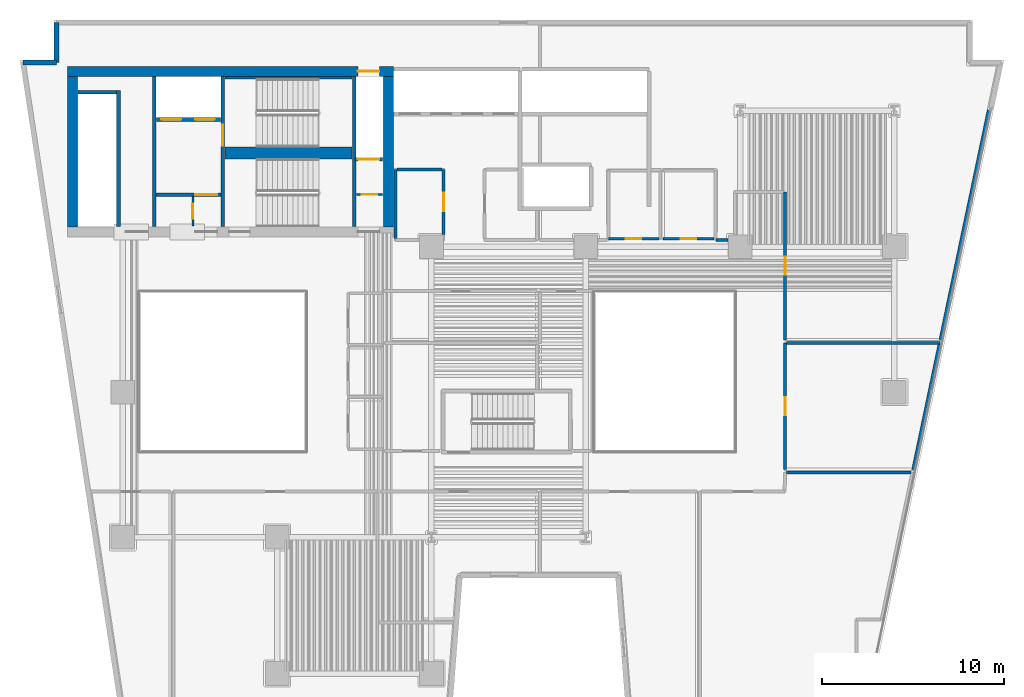
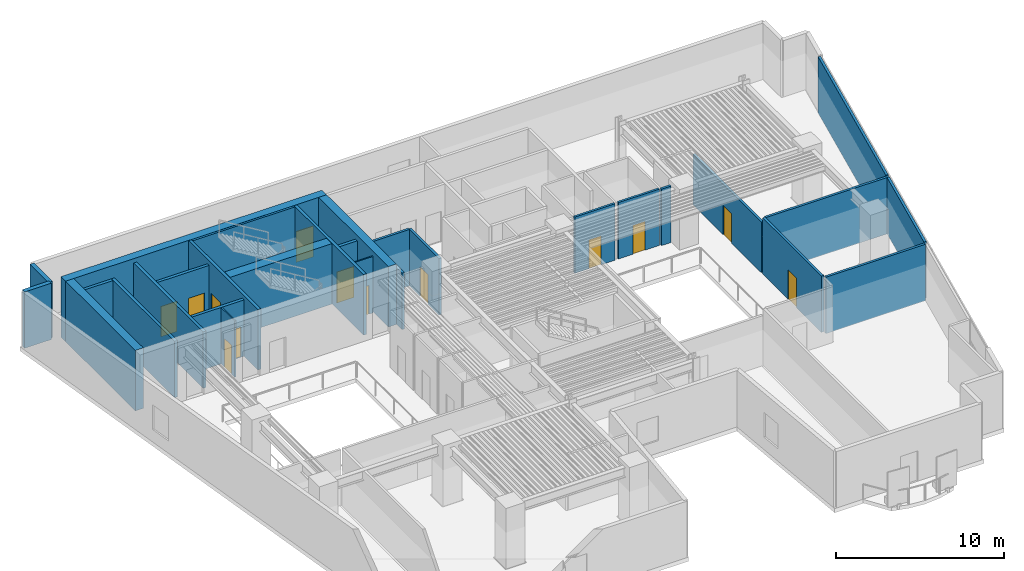
# One storey, part 5 of 12: 29 walls, 13 doors, 13 openings.
"""IFC4 building model written with IfcOpenShell, lengths in metres."""

from ifc_helpers import new_model, si_unit, direction, frame, frame_2d, origin, place, context, subcontext, project, spatial, rectangle, extrude, material, layer, layer_set, type_object, element, fill, save


model = new_model("IFC4")

# Units and contexts
model_context = context("Model", 3, precision=1e-05, world=origin(), true_north=direction((0.0, 1.0)))
body_context = subcontext(model_context, "Body", "Model", "MODEL_VIEW")
ifc_project = project(units=[si_unit("LENGTHUNIT", "METRE"), si_unit("AREAUNIT", "SQUARE_METRE"), si_unit("VOLUMEUNIT", "CUBIC_METRE"), si_unit("PLANEANGLEUNIT", "RADIAN"), si_unit("MASSUNIT", "GRAM", prefix="KILO")], contexts=[model_context])

# Site, building, storey
site_placement = place(None, origin())
site = spatial("IfcSite", under=ifc_project, at=site_placement, CompositionType="ELEMENT")
building_placement = place(site_placement, origin())
building = spatial("IfcBuilding", under=site, at=building_placement, Name="Caeloran Harvest Quay", CompositionType="ELEMENT")
storey_placement = place(building_placement, frame((0.0, 0.0, 57.800048828125)))
storey = spatial("IfcBuildingStorey", under=building, at=storey_placement, Name="L13", CompositionType="ELEMENT", Elevation=57.800048828125)

# Walls
ifc_material_1 = material(Name="Precast concrete C50/60", Category="concrete")
ifc_layer_1 = layer(ifc_material_1, 0.280029296875, Name="Precast concrete C50/60")
ifc_layer_set_1 = layer_set([ifc_layer_1], Name="Precast concrete C50/60")
wall_type_1 = type_object("IfcWallType", Name="ENV-WALL-EW-280", PredefinedType="STANDARD", material=ifc_layer_set_1)
wall_1_placement = place(storey_placement, frame((2.99755859375, 41.159912109375, 0.0), z_axis=(0.0, 0.0, 1.0), x_axis=(1.0, 0.0, 0.0)))
element("IfcWall", 1, at=wall_1_placement, inside=storey, type_object=wall_type_1, Name="L13 Exterior Precast Concrete Facade Wall 4", PredefinedType="STANDARD", context=body_context, shape_type="SweptSolid", body=[
    extrude(rectangle(XDim=1.842529296875, YDim=0.280029296875, at=frame_2d((0.92138671875, 0.0))), origin(), (0.0, 0.0, 1.0), 4.099853515625),
])
wall_2_placement = place(storey_placement, frame((4.840087890625, 41.159912109375, 0.0), z_axis=(0.0, 0.0, 1.0), x_axis=(0.0, 1.0, 0.0)))
element("IfcWall", 2, at=wall_2_placement, inside=storey, type_object=wall_type_1, Name="L13 Exterior Precast Concrete Facade Wall 5", PredefinedType="STANDARD", context=body_context, shape_type="SweptSolid", body=[
    extrude(rectangle(XDim=2.2001953125, YDim=0.280029296875, at=frame_2d((1.10009765625, 0.0))), origin(), (0.0, 0.0, 1.0), 4.099853515625),
])

# Wall, opening, door
ifc_material_2 = material(Name="Fire-Resisting Gypsum Core Riser Partition", Category="gypsum")
ifc_layer_2 = layer(ifc_material_2, 0.10009765625, Name="Fire-Resisting Gypsum Core Riser Partition")
ifc_layer_set_2 = layer_set([ifc_layer_2], Name="Fire-Resisting Gypsum Core Riser Partition")
wall_type_2 = type_object("IfcWallType", Name="INT-WALL-PW-100", PredefinedType="PARTITIONING", material=ifc_layer_set_2)
wall_3_placement = place(storey_placement, frame((12.360107421875, 32.159912109375, 0.0), z_axis=(0.0, 0.0, 1.0), x_axis=(0.0, 1.0, 0.0)))
wall_3 = element("IfcWall", 3, at=wall_3_placement, inside=storey, type_object=wall_type_2, Name="L13 Core Store Partition Wall", PredefinedType="PARTITIONING", context=body_context, shape_type="SweptSolid", body=[
    extrude(rectangle(XDim=1.6201171875, YDim=0.10009765625, at=frame_2d((0.81005859375, 0.0))), origin(), (0.0, 0.0, 1.0), 4.099853515625),
])
opening_1_placement = place(wall_3_placement, frame((0.3798828125, 0.0, 0.0)))
opening_1 = element("IfcOpeningElement", 4, at=opening_1_placement, cuts=wall_3, Name="Opening SV-01", PredefinedType="OPENING", context=body_context, shape_type="SweptSolid", body=[
    extrude(rectangle(XDim=0.85009765625, YDim=2.10009765625, at=frame_2d((0.425048828125, 1.050048828125))), frame((0.0, 0.06005859375, 0.0), z_axis=(0.0, -1.0, 0.0), x_axis=(1.0, 0.0, 0.0)), (0.0, 0.0, 1.0), 0.1201171875),
])
ifc_material_3 = material(Name="Galvanized Painted Steel", Category="steel")
door_type_1 = type_object("IfcDoorType", Name="INTDOOR-SV-01", OperationType="NOTDEFINED", PredefinedType="DOOR", material=ifc_material_3)
door_1_placement = place(opening_1_placement, origin())
door_1 = element("IfcDoor", 5, at=door_1_placement, inside=storey, type_object=door_type_1, Name="L13 Core Service Room Access Door", OperationType="SINGLE_SWING_LEFT", OverallHeight=2.10009765625, OverallWidth=0.85009765625, PredefinedType="DOOR", context=body_context, shape_type="SweptSolid", body=[
    extrude(rectangle(XDim=0.85009765625, YDim=2.10009765625, at=frame_2d((0.425048828125, 1.050048828125))), frame((0.0, 0.02490234375, 0.0), z_axis=(0.0, -1.0, 0.0), x_axis=(1.0, 0.0, 0.0)), (0.0, 0.0, 1.0), 0.050048828125),
])
fill(opening_1, door_1)

wall_4_placement = place(storey_placement, frame((21.3798828125, 33.889892578125, 0.0), z_axis=(0.0, 0.0, 1.0), x_axis=(1.0, 0.0, 0.0)))
wall_4 = element("IfcWall", 6, at=wall_4_placement, inside=storey, type_object=wall_type_2, Name="L13 Cleaner Store Partition Wall", PredefinedType="PARTITIONING", context=body_context, shape_type="SweptSolid", body=[
    extrude(rectangle(XDim=1.420166015625, YDim=0.10009765625, at=frame_2d((0.7099609375, 0.0))), origin(), (0.0, 0.0, 1.0), 4.099853515625),
])
opening_2_placement = place(wall_4_placement, frame((0.280029296875, 0.0, 0.0)))
opening_2 = element("IfcOpeningElement", 7, at=opening_2_placement, cuts=wall_4, Name="Opening SV-01", PredefinedType="OPENING", context=body_context, shape_type="SweptSolid", body=[
    extrude(rectangle(XDim=0.85009765625, YDim=2.10009765625, at=frame_2d((0.425048828125, 1.050048828125))), frame((0.0, 0.06005859375, 0.0), z_axis=(0.0, -1.0, 0.0), x_axis=(1.0, 0.0, 0.0)), (0.0, 0.0, 1.0), 0.1201171875),
])
door_2_placement = place(opening_2_placement, origin())
door_2 = element("IfcDoor", 8, at=door_2_placement, inside=storey, type_object=door_type_1, Name="L13 Cleaner Supply Store Access Door", OperationType="SINGLE_SWING_RIGHT", OverallHeight=2.10009765625, OverallWidth=0.85009765625, PredefinedType="DOOR", context=body_context, shape_type="SweptSolid", body=[
    extrude(rectangle(XDim=0.85009765625, YDim=2.10009765625, at=frame_2d((0.425048828125, 1.050048828125))), frame((0.0, 0.02490234375, 0.0), z_axis=(0.0, -1.0, 0.0), x_axis=(1.0, 0.0, 0.0)), (0.0, 0.0, 1.0), 0.050048828125),
])
fill(opening_2, door_2)

ifc_material_4 = material(Name="Autoclaved Aerated Concrete Blockwork and Plasterboard", Category="masonry")
ifc_layer_3 = layer(ifc_material_4, 0.14990234375, Name="Autoclaved Aerated Concrete Blockwork and Plasterboard")
ifc_layer_set_3 = layer_set([ifc_layer_3], Name="Autoclaved Aerated Concrete Blockwork and Plasterboard")
wall_type_3 = type_object("IfcWallType", Name="INT-WALL-PW-150", PredefinedType="PARTITIONING", material=ifc_layer_set_3)
wall_5_placement = place(storey_placement, frame((38.02001953125, 31.449951171875, 0.0), z_axis=(0.0, 0.0, 1.0), x_axis=(-1.0, 0.0, 0.0)))
wall_5 = element("IfcWall", 9, at=wall_5_placement, inside=storey, type_object=wall_type_3, Name="L13 Core Telemetry West Room Partition Wall", PredefinedType="PARTITIONING", context=body_context, shape_type="SweptSolid", body=[
    extrude(rectangle(XDim=2.77001953125, YDim=0.14990234375, at=frame_2d((1.385009765625, 0.0))), origin(), (0.0, 0.0, 1.0), 4.099853515625),
])
opening_3_placement = place(wall_5_placement, frame((0.9599609375, 0.0, 0.0)))
opening_3 = element("IfcOpeningElement", 10, at=opening_3_placement, cuts=wall_5, Name="Opening SV-01", PredefinedType="OPENING", context=body_context, shape_type="SweptSolid", body=[
    extrude(rectangle(XDim=0.85009765625, YDim=2.10009765625, at=frame_2d((0.425048828125, 1.050048828125))), frame((0.0, 0.0849609375, 0.0), z_axis=(0.0, -1.0, 0.0), x_axis=(1.0, 0.0, 0.0)), (0.0, 0.0, 1.0), 0.169921875),
])
door_3_placement = place(opening_3_placement, origin())
door_3 = element("IfcDoor", 11, at=door_3_placement, inside=storey, type_object=door_type_1, Name="L13 Core Telemetry West Room Access Door", OperationType="SINGLE_SWING_LEFT", OverallHeight=2.10009765625, OverallWidth=0.85009765625, PredefinedType="DOOR", context=body_context, shape_type="SweptSolid", body=[
    extrude(rectangle(XDim=0.85009765625, YDim=2.10009765625, at=frame_2d((0.425048828125, 1.050048828125))), frame((0.0, 0.02490234375, 0.0), z_axis=(0.0, -1.0, 0.0), x_axis=(1.0, 0.0, 0.0)), (0.0, 0.0, 1.0), 0.050048828125),
])
fill(opening_3, door_3)

wall_6_placement = place(storey_placement, frame((41.070068359375, 31.449951171875, 0.0), z_axis=(0.0, 0.0, 1.0), x_axis=(-1.0, 0.0, 0.0)))
wall_6 = element("IfcWall", 12, at=wall_6_placement, inside=storey, type_object=wall_type_3, Name="L13 Core Metering East Room Partition Wall", PredefinedType="PARTITIONING", context=body_context, shape_type="SweptSolid", body=[
    extrude(rectangle(XDim=2.820068359375, YDim=0.14990234375, at=frame_2d((1.41015625, 0.0))), origin(), (0.0, 0.0, 1.0), 4.099853515625),
])
opening_4_placement = place(wall_6_placement, frame((0.985107421875, 0.0, 0.0)))
opening_4 = element("IfcOpeningElement", 13, at=opening_4_placement, cuts=wall_6, Name="Opening SV-01", PredefinedType="OPENING", context=body_context, shape_type="SweptSolid", body=[
    extrude(rectangle(XDim=0.85009765625, YDim=2.10009765625, at=frame_2d((0.425048828125, 1.050048828125))), frame((0.0, 0.0849609375, 0.0), z_axis=(0.0, -1.0, 0.0), x_axis=(1.0, 0.0, 0.0)), (0.0, 0.0, 1.0), 0.169921875),
])
door_4_placement = place(opening_4_placement, origin())
door_4 = element("IfcDoor", 14, at=door_4_placement, inside=storey, type_object=door_type_1, Name="L13 Core Metering East Room Access Door", OperationType="SINGLE_SWING_RIGHT", OverallHeight=2.10009765625, OverallWidth=0.85009765625, PredefinedType="DOOR", context=body_context, shape_type="SweptSolid", body=[
    extrude(rectangle(XDim=0.85009765625, YDim=2.10009765625, at=frame_2d((0.425048828125, 1.050048828125))), frame((0.0, 0.02490234375, 0.0), z_axis=(0.0, -1.0, 0.0), x_axis=(1.0, 0.0, 0.0)), (0.0, 0.0, 1.0), 0.050048828125),
])
fill(opening_4, door_4)

# Wall
ifc_material_5 = material(Name="Autoclaved Aerated Concrete Blockwork", Category="masonry")
ifc_layer_4 = layer(ifc_material_5, 0.1650390625, Name="Autoclaved Aerated Concrete Blockwork")
ifc_layer_set_4 = layer_set([ifc_layer_4], Name="Autoclaved Aerated Concrete Blockwork")
wall_type_4 = type_object("IfcWallType", Name="INT-WALL-PW-165", PredefinedType="PARTITIONING", material=ifc_layer_set_4)
wall_7_placement = place(storey_placement, frame((45.06689453125, 18.570068359375, 0.0), z_axis=(0.0, 0.0, 1.0), x_axis=(1.0, 0.0, 0.0)))
element("IfcWall", 15, at=wall_7_placement, inside=storey, type_object=wall_type_4, Name="Hydroponic Culinary Kitchen Partition Wall", PredefinedType="PARTITIONING", context=body_context, shape_type="SweptSolid", body=[
    extrude(rectangle(XDim=6.8408203125, YDim=0.1650390625, at=frame_2d((3.42041015625, 0.0))), origin(), (0.0, 0.0, 1.0), 4.099853515625),
])

# Wall, opening, door
wall_8_placement = place(storey_placement, frame((44.97998046875, 18.72998046875, 0.0), z_axis=(0.0, 0.0, 1.0), x_axis=(0.0, 1.0, 0.0)))
wall_8 = element("IfcWall", 16, at=wall_8_placement, inside=storey, type_object=wall_type_4, Name="Mycology QA Laboratory Partition Wall", PredefinedType="PARTITIONING", context=body_context, shape_type="SweptSolid", body=[
    extrude(rectangle(XDim=6.989990234375, YDim=0.1650390625, at=frame_2d((3.4951171875, 0.0))), origin(), (0.0, 0.0, 1.0), 4.099853515625),
])
opening_5_placement = place(wall_8_placement, frame((2.9951171875, 0.0, 0.0)))
opening_5 = element("IfcOpeningElement", 17, at=opening_5_placement, cuts=wall_8, Name="Opening ID-01", PredefinedType="OPENING", context=body_context, shape_type="SweptSolid", body=[
    extrude(rectangle(XDim=1.0, YDim=2.14990234375, at=frame_2d((0.5, 1.074951171875))), frame((0.0, 0.092529296875, 0.0), z_axis=(0.0, -1.0, 0.0), x_axis=(1.0, 0.0, 0.0)), (0.0, 0.0, 1.0), 0.18505859375),
])
ifc_material_6 = material(Name="FSC Solid-Core Ash Timber and Acoustic Seal", Category="wood")
door_type_2 = type_object("IfcDoorType", Name="INTDOOR-ID-01", OperationType="NOTDEFINED", PredefinedType="DOOR", material=ifc_material_6)
door_5_placement = place(opening_5_placement, origin())
door_5 = element("IfcDoor", 18, at=door_5_placement, inside=storey, type_object=door_type_2, Name="Mycology QA Laboratory Access Door", OperationType="SINGLE_SWING_LEFT", OverallHeight=2.14990234375, OverallWidth=1.0, PredefinedType="DOOR", context=body_context, shape_type="SweptSolid", body=[
    extrude(rectangle(XDim=1.0, YDim=2.14990234375, at=frame_2d((0.5, 1.074951171875))), frame((0.0, 0.02490234375, 0.0), z_axis=(0.0, -1.0, 0.0), x_axis=(1.0, 0.0, 0.0)), (0.0, 0.0, 1.0), 0.050048828125),
])
fill(opening_5, door_5)

# Walls
wall_9_placement = place(storey_placement, frame((45.0673828125, 25.719970703125, 0.0), z_axis=(0.0, 0.0, 1.0), x_axis=(1.0, 0.0, 0.0)))
element("IfcWall", 19, at=wall_9_placement, inside=storey, type_object=wall_type_4, Name="Mycology QA Laboratory Partition Wall", PredefinedType="PARTITIONING", context=body_context, shape_type="SweptSolid", body=[
    extrude(rectangle(XDim=8.447021484375, YDim=0.1650390625, at=frame_2d((4.2236328125, 0.0))), origin(), (0.0, 0.0, 1.0), 4.099853515625),
])
wall_10_placement = place(storey_placement, frame((53.480712890625, 25.632568359375, 0.0), z_axis=(0.0, 0.0, 1.0), x_axis=(-0.205539446235, -0.97864883183, 0.0)))
element("IfcWall", 20, at=wall_10_placement, inside=storey, type_object=wall_type_4, Name="Mycology QA Laboratory Partition Wall", PredefinedType="PARTITIONING", context=body_context, shape_type="SweptSolid", body=[
    extrude(rectangle(XDim=7.05322265625, YDim=0.1650390625, at=frame_2d((3.526611328125, 0.0))), origin(), (0.0, 0.0, 1.0), 4.099853515625),
])

# Wall, opening, door
wall_11_placement = place(storey_placement, frame((26.169921875, 35.27001953125, 0.0), z_axis=(0.0, 0.0, 1.0), x_axis=(0.0, -1.0, 0.0)))
wall_11 = element("IfcWall", 21, at=wall_11_placement, inside=storey, type_object=wall_type_4, Name="Pollination Dining Lounge 11 Partition Wall", PredefinedType="PARTITIONING", context=body_context, shape_type="SweptSolid", body=[
    extrude(rectangle(XDim=3.594970703125, YDim=0.1650390625, at=frame_2d((1.79736328125, 0.0))), origin(), (0.0, 0.0, 1.0), 4.099853515625),
])
opening_6_placement = place(wall_11_placement, frame((1.297607421875, 0.0, 0.0)))
opening_6 = element("IfcOpeningElement", 22, at=opening_6_placement, cuts=wall_11, Name="Opening ID-01", PredefinedType="OPENING", context=body_context, shape_type="SweptSolid", body=[
    extrude(rectangle(XDim=1.0, YDim=2.14990234375, at=frame_2d((0.5, 1.074951171875))), frame((0.0, 0.092529296875, 0.0), z_axis=(0.0, -1.0, 0.0), x_axis=(1.0, 0.0, 0.0)), (0.0, 0.0, 1.0), 0.18505859375),
])
door_6_placement = place(opening_6_placement, origin())
door_6 = element("IfcDoor", 23, at=door_6_placement, inside=storey, type_object=door_type_2, Name="Pollination Dining Lounge 11 Access Door", OperationType="SINGLE_SWING_LEFT", OverallHeight=2.14990234375, OverallWidth=1.0, PredefinedType="DOOR", context=body_context, shape_type="SweptSolid", body=[
    extrude(rectangle(XDim=1.0, YDim=2.14990234375, at=frame_2d((0.5, 1.074951171875))), frame((0.0, 0.02490234375, 0.0), z_axis=(0.0, -1.0, 0.0), x_axis=(1.0, 0.0, 0.0)), (0.0, 0.0, 1.0), 0.050048828125),
])
fill(opening_6, door_6)

# Walls
wall_12_placement = place(storey_placement, frame((23.510009765625, 31.467529296875, 0.0), z_axis=(0.0, 0.0, 1.0), x_axis=(0.0, 1.0, 0.0)))
element("IfcWall", 24, at=wall_12_placement, inside=storey, type_object=wall_type_4, Name="Pollination Dining Lounge 11 Partition Wall", PredefinedType="PARTITIONING", context=body_context, shape_type="SweptSolid", body=[
    extrude(rectangle(XDim=3.804443359375, YDim=0.1650390625, at=frame_2d((1.90234375, 0.0))), origin(), (0.0, 0.0, 1.0), 4.099853515625),
])
wall_13_placement = place(storey_placement, frame((23.597412109375, 35.27001953125, 0.0), z_axis=(0.0, 0.0, 1.0), x_axis=(1.0, 0.0, 0.0)))
element("IfcWall", 25, at=wall_13_placement, inside=storey, type_object=wall_type_4, Name="Pollination Dining Lounge 11 Partition Wall", PredefinedType="PARTITIONING", context=body_context, shape_type="SweptSolid", body=[
    extrude(rectangle(XDim=2.485107421875, YDim=0.1650390625, at=frame_2d((1.24267578125, 0.0))), origin(), (0.0, 0.0, 1.0), 4.099853515625),
])
wall_14_placement = place(storey_placement, frame((56.1943359375, 38.547607421875, 0.0), z_axis=(0.0, 0.0, 1.0), x_axis=(-0.205602677483, -0.978635549636, 0.0)))
element("IfcWall", 26, at=wall_14_placement, inside=storey, type_object=wall_type_4, Name="Harvest Seminar Room 12 Partition Wall", PredefinedType="PARTITIONING", context=body_context, shape_type="SweptSolid", body=[
    extrude(rectangle(XDim=12.9443359375, YDim=0.1650390625, at=frame_2d((6.47216796875, 0.0))), origin(), (0.0, 0.0, 1.0), 4.099853515625),
])

# Wall, opening, door
wall_15_placement = place(storey_placement, frame((44.97998046875, 25.8798828125, 0.0), z_axis=(0.0, 0.0, 1.0), x_axis=(0.0, 1.0, 0.0)))
wall_15 = element("IfcWall", 27, at=wall_15_placement, inside=storey, type_object=wall_type_4, Name="Harvest Seminar Room 12 Partition Wall", PredefinedType="PARTITIONING", context=body_context, shape_type="SweptSolid", body=[
    extrude(rectangle(XDim=8.150146484375, YDim=0.1650390625, at=frame_2d((4.0751953125, 0.0))), origin(), (0.0, 0.0, 1.0), 3.68505859375),
])
opening_7_placement = place(wall_15_placement, frame((3.574951171875, 0.0, 0.0)))
opening_7 = element("IfcOpeningElement", 28, at=opening_7_placement, cuts=wall_15, Name="Opening ID-01", PredefinedType="OPENING", context=body_context, shape_type="SweptSolid", body=[
    extrude(rectangle(XDim=1.0, YDim=2.14990234375, at=frame_2d((0.5, 1.074951171875))), frame((0.0, 0.092529296875, 0.0), z_axis=(0.0, -1.0, 0.0), x_axis=(1.0, 0.0, 0.0)), (0.0, 0.0, 1.0), 0.18505859375),
])
door_7_placement = place(opening_7_placement, origin())
door_7 = element("IfcDoor", 29, at=door_7_placement, inside=storey, type_object=door_type_2, Name="Harvest Seminar Room 12 Access Door", OperationType="SINGLE_SWING_RIGHT", OverallHeight=2.14990234375, OverallWidth=1.0, PredefinedType="DOOR", context=body_context, shape_type="SweptSolid", body=[
    extrude(rectangle(XDim=1.0, YDim=2.14990234375, at=frame_2d((0.5, 1.074951171875))), frame((0.0, 0.02490234375, 0.0), z_axis=(0.0, -1.0, 0.0), x_axis=(1.0, 0.0, 0.0)), (0.0, 0.0, 1.0), 0.050048828125),
])
fill(opening_7, door_7)

# Walls
wall_16_placement = place(storey_placement, frame((41.824951171875, 31.3798828125, 0.0), z_axis=(0.0, 0.0, 1.0), x_axis=(-1.0, 0.0, 0.0)))
element("IfcWall", 30, at=wall_16_placement, inside=storey, type_object=wall_type_4, Name="Harvest Seminar Room 12 Partition Wall", PredefinedType="PARTITIONING", context=body_context, shape_type="SweptSolid", body=[
    extrude(rectangle(XDim=0.660400390625, YDim=0.1650390625, at=frame_2d((0.330078125, 0.0))), origin(), (0.0, 0.0, 1.0), 4.099853515625),
])
ifc_material_7 = material(Name="Concrete C50/60", Category="concrete")
ifc_layer_5 = layer(ifc_material_7, 0.199951171875, Name="Concrete C50/60")
ifc_layer_set_5 = layer_set([ifc_layer_5], Name="Concrete C50/60")
wall_type_5 = type_object("IfcWallType", Name="INT-WALL-SW-200", PredefinedType="PARTITIONING", material=ifc_layer_set_5)
wall_17_placement = place(storey_placement, frame((8.260009765625, 32.1201171875, 0.0), z_axis=(0.0, 0.0, 1.0), x_axis=(0.0, 1.0, 0.0)))
element("IfcWall", 31, at=wall_17_placement, inside=storey, type_object=wall_type_5, Name="L13 Bank 3 Lift Shaft Wall", PredefinedType="PARTITIONING", context=body_context, shape_type="SweptSolid", body=[
    extrude(rectangle(XDim=7.5, YDim=0.199951171875, at=frame_2d((3.75, 0.0))), origin(), (0.0, 0.0, 1.0), 4.099853515625),
])
wall_18_placement = place(storey_placement, frame((6.02001953125, 39.52001953125, 0.0), z_axis=(0.0, 0.0, 1.0), x_axis=(1.0, 0.0, 0.0)))
element("IfcWall", 32, at=wall_18_placement, inside=storey, type_object=wall_type_5, Name="L13 Bank 3 Lift Shaft North End Wall", PredefinedType="PARTITIONING", context=body_context, shape_type="SweptSolid", body=[
    extrude(rectangle(XDim=2.119873046875, YDim=0.199951171875, at=frame_2d((1.06005859375, 0.0))), origin(), (0.0, 0.0, 1.0), 4.099853515625),
])
wall_19_placement = place(storey_placement, frame((10.219970703125, 32.1201171875, 0.0), z_axis=(0.0, 0.0, 1.0), x_axis=(0.0, 1.0, 0.0)))
element("IfcWall", 33, at=wall_19_placement, inside=storey, type_object=wall_type_5, Name="L13 Core Lobby Compartment Wall", PredefinedType="PARTITIONING", context=body_context, shape_type="SweptSolid", body=[
    extrude(rectangle(XDim=8.259765625, YDim=0.199951171875, at=frame_2d((4.1298828125, 0.0))), origin(), (0.0, 0.0, 1.0), 4.099853515625),
])

# Wall, openings, doors
wall_20_placement = place(storey_placement, frame((10.340087890625, 38.02001953125, 0.0), z_axis=(0.0, 0.0, 1.0), x_axis=(1.0, 0.0, 0.0)))
wall_20 = element("IfcWall", 34, at=wall_20_placement, inside=storey, type_object=wall_type_5, Name="L13 Firefighting Lift Shaft Wall", PredefinedType="PARTITIONING", context=body_context, shape_type="SweptSolid", body=[
    extrude(rectangle(XDim=3.539794921875, YDim=0.199951171875, at=frame_2d((1.77001953125, 0.0))), origin(), (0.0, 0.0, 1.0), 4.099853515625),
])
opening_8_placement = place(wall_20_placement, frame((0.284912109375, 0.0, 0.0)))
opening_8 = element("IfcOpeningElement", 35, at=opening_8_placement, cuts=wall_20, Name="Opening LD-01", PredefinedType="OPENING", context=body_context, shape_type="SweptSolid", body=[
    extrude(rectangle(XDim=1.10009765625, YDim=2.199951171875, at=frame_2d((0.550048828125, 1.10009765625))), frame((0.0, 0.10986328125, 0.0), z_axis=(0.0, -1.0, 0.0), x_axis=(1.0, 0.0, 0.0)), (0.0, 0.0, 1.0), 0.219970703125),
])
opening_9_placement = place(wall_20_placement, frame((2.135009765625, 0.0, 0.0)))
opening_9 = element("IfcOpeningElement", 36, at=opening_9_placement, cuts=wall_20, Name="Opening LD-01", PredefinedType="OPENING", context=body_context, shape_type="SweptSolid", body=[
    extrude(rectangle(XDim=1.10009765625, YDim=2.199951171875, at=frame_2d((0.550048828125, 1.10009765625))), frame((0.0, 0.10986328125, 0.0), z_axis=(0.0, -1.0, 0.0), x_axis=(1.0, 0.0, 0.0)), (0.0, 0.0, 1.0), 0.219970703125),
])
ifc_material_8 = material(Name="Stainless Steel Grade 316", Category="steel")
door_type_3 = type_object("IfcDoorType", Name="INTDOOR-LD-01", OperationType="NOTDEFINED", PredefinedType="DOOR", material=ifc_material_8)
door_8_placement = place(opening_8_placement, origin())
door_8 = element("IfcDoor", 37, at=door_8_placement, inside=storey, type_object=door_type_3, Name="Lift FF-1 Sliding Landing Door (L13)", OperationType="DOUBLE_DOOR_SLIDING", OverallHeight=2.199951171875, OverallWidth=1.10009765625, PredefinedType="DOOR", context=body_context, shape_type="SweptSolid", body=[
    extrude(rectangle(XDim=1.10009765625, YDim=2.199951171875, at=frame_2d((0.550048828125, 1.10009765625))), frame((0.0, 0.02490234375, 0.0), z_axis=(0.0, -1.0, 0.0), x_axis=(1.0, 0.0, 0.0)), (0.0, 0.0, 1.0), 0.050048828125),
])
fill(opening_8, door_8)
door_9_placement = place(opening_9_placement, origin())
door_9 = element("IfcDoor", 38, at=door_9_placement, inside=storey, type_object=door_type_3, Name="Lift FF-2 Sliding Landing Door (L13)", OperationType="DOUBLE_DOOR_SLIDING", OverallHeight=2.199951171875, OverallWidth=1.10009765625, PredefinedType="DOOR", context=body_context, shape_type="SweptSolid", body=[
    extrude(rectangle(XDim=1.10009765625, YDim=2.199951171875, at=frame_2d((0.550048828125, 1.10009765625))), frame((0.0, 0.02490234375, 0.0), z_axis=(0.0, -1.0, 0.0), x_axis=(1.0, 0.0, 0.0)), (0.0, 0.0, 1.0), 0.050048828125),
])
fill(opening_9, door_9)

# Wall, opening, door
wall_21_placement = place(storey_placement, frame((10.340087890625, 33.8798828125, 0.0), z_axis=(0.0, 0.0, 1.0), x_axis=(1.0, 0.0, 0.0)))
wall_21 = element("IfcWall", 39, at=wall_21_placement, inside=storey, type_object=wall_type_5, Name="L13 Firefighting Lift Lobby Enclosure Wall", PredefinedType="PARTITIONING", context=body_context, shape_type="SweptSolid", body=[
    extrude(rectangle(XDim=3.559814453125, YDim=0.199951171875, at=frame_2d((1.77978515625, 0.0))), origin(), (0.0, 0.0, 1.0), 4.099853515625),
])
opening_10_placement = place(wall_21_placement, frame((2.14990234375, 0.0, 0.0)))
opening_10 = element("IfcOpeningElement", 40, at=opening_10_placement, cuts=wall_21, Name="Opening FD-01", PredefinedType="OPENING", context=body_context, shape_type="SweptSolid", body=[
    extrude(rectangle(XDim=1.199951171875, YDim=2.199951171875, at=frame_2d((0.60009765625, 1.10009765625))), frame((0.0, 0.10986328125, 0.0), z_axis=(0.0, -1.0, 0.0), x_axis=(1.0, 0.0, 0.0)), (0.0, 0.0, 1.0), 0.219970703125),
])
ifc_material_9 = material(Name="Steel", Category="steel")
door_type_4 = type_object("IfcDoorType", Name="INTDOOR-FD-01", OperationType="NOTDEFINED", PredefinedType="DOOR", material=ifc_material_9)
door_10_placement = place(opening_10_placement, origin())
door_10 = element("IfcDoor", 41, at=door_10_placement, inside=storey, type_object=door_type_4, Name="L13 Firefighting Lift Lobby Smoke-Seal Fire Door", OperationType="SINGLE_SWING_LEFT", OverallHeight=2.199951171875, OverallWidth=1.199951171875, PredefinedType="DOOR", context=body_context, shape_type="SweptSolid", body=[
    extrude(rectangle(XDim=1.199951171875, YDim=2.199951171875, at=frame_2d((0.60009765625, 1.10009765625))), frame((0.0, 0.02490234375, 0.0), z_axis=(0.0, -1.0, 0.0), x_axis=(1.0, 0.0, 0.0)), (0.0, 0.0, 1.0), 0.050048828125),
])
fill(opening_10, door_10)

wall_22_placement = place(storey_placement, frame((21.300048828125, 35.820068359375, 0.0), z_axis=(0.0, 0.0, 1.0), x_axis=(1.0, 0.0, 0.0)))
wall_22 = element("IfcWall", 42, at=wall_22_placement, inside=storey, type_object=wall_type_5, Name="L13 Service Lift SV-2 Shaft Wall", PredefinedType="PARTITIONING", context=body_context, shape_type="SweptSolid", body=[
    extrude(rectangle(XDim=1.5, YDim=0.199951171875, at=frame_2d((0.75, 0.0))), origin(), (0.0, 0.0, 1.0), 4.099853515625),
])
opening_11_placement = place(wall_22_placement, frame((0.14501953125, 0.0, 0.0)))
opening_11 = element("IfcOpeningElement", 43, at=opening_11_placement, cuts=wall_22, Name="Opening LD-02", PredefinedType="OPENING", context=body_context, shape_type="SweptSolid", body=[
    extrude(rectangle(XDim=1.179931640625, YDim=2.25, at=frame_2d((0.58984375, 1.125))), frame((0.0, 0.10986328125, 0.0), z_axis=(0.0, -1.0, 0.0), x_axis=(1.0, 0.0, 0.0)), (0.0, 0.0, 1.0), 0.219970703125),
])
door_type_5 = type_object("IfcDoorType", Name="INTDOOR-LD-02", OperationType="NOTDEFINED", PredefinedType="DOOR", material=ifc_material_8)
door_11_placement = place(opening_11_placement, origin())
door_11 = element("IfcDoor", 44, at=door_11_placement, inside=storey, type_object=door_type_5, Name="Lift SV-2 Sliding Landing Door (L13)", OperationType="DOUBLE_DOOR_SLIDING", OverallHeight=2.25, OverallWidth=1.179931640625, PredefinedType="DOOR", context=body_context, shape_type="SweptSolid", body=[
    extrude(rectangle(XDim=1.179931640625, YDim=2.25, at=frame_2d((0.58984375, 1.125))), frame((0.0, 0.02490234375, 0.0), z_axis=(0.0, -1.0, 0.0), x_axis=(1.0, 0.0, 0.0)), (0.0, 0.0, 1.0), 0.050048828125),
])
fill(opening_11, door_11)

ifc_material_10 = material(Name="Concrete C80/95", Category="concrete")
ifc_layer_6 = layer(ifc_material_10, 0.550048828125, Name="Concrete C80/95")
ifc_layer_set_6 = layer_set([ifc_layer_6], Name="Concrete C80/95")
wall_type_6 = type_object("IfcWallType", Name="STR-WALL-CW-550", PredefinedType="SHEAR", material=ifc_layer_set_6)
wall_23_placement = place(storey_placement, frame((5.449951171875, 40.675048828125, 0.0), z_axis=(0.0, 0.0, 1.0), x_axis=(1.0, 0.0, 0.0)))
wall_23 = element("IfcWall", 45, at=wall_23_placement, inside=storey, type_object=wall_type_6, Name="L13 Rear Core Shear Wall N", PredefinedType="SHEAR", context=body_context, shape_type="SweptSolid", body=[
    extrude(rectangle(XDim=17.949951171875, YDim=0.550048828125, at=frame_2d((8.97509765625, 0.0))), origin(), (0.0, 0.0, 1.0), 4.39990234375),
])
opening_12_placement = place(wall_23_placement, frame((15.9951171875, 0.0, 0.0)))
opening_12 = element("IfcOpeningElement", 46, at=opening_12_placement, cuts=wall_23, Name="Opening LD-02", PredefinedType="OPENING", context=body_context, shape_type="SweptSolid", body=[
    extrude(rectangle(XDim=1.179931640625, YDim=2.25, at=frame_2d((0.58984375, 1.125))), frame((0.0, 0.28515625, 0.0), z_axis=(0.0, -1.0, 0.0), x_axis=(1.0, 0.0, 0.0)), (0.0, 0.0, 1.0), 0.570068359375),
])
door_12_placement = place(opening_12_placement, origin())
door_12 = element("IfcDoor", 47, at=door_12_placement, inside=storey, type_object=door_type_5, Name="Lift SV-1 Sliding Landing Door (L13)", OperationType="DOUBLE_DOOR_SLIDING", OverallHeight=2.25, OverallWidth=1.179931640625, PredefinedType="DOOR", context=body_context, shape_type="SweptSolid", body=[
    extrude(rectangle(XDim=1.179931640625, YDim=2.25, at=frame_2d((0.58984375, 1.125))), frame((0.0, 0.02490234375, 0.0), z_axis=(0.0, -1.0, 0.0), x_axis=(1.0, 0.0, 0.0)), (0.0, 0.0, 1.0), 0.050048828125),
])
fill(opening_12, door_12)

# Walls
for number, where, z_axis, x_axis, name in (
    (48, (5.72509765625, 32.10009765625, 0.0), (0.0, 0.0, 1.0), (0.0, 1.0, 0.0), "L13 Rear Core Shear Wall W"),
    (49, (23.125, 32.10009765625, 0.0), (0.0, 0.0, 1.0), (0.0, 1.0, 0.0), "L13 Rear Core Shear Wall E"),
):
    element("IfcWall", number, at=place(storey_placement, frame(where, z_axis=z_axis, x_axis=x_axis)), inside=storey, type_object=wall_type_6, Name=name, PredefinedType="SHEAR", context=body_context, shape_type="SweptSolid", body=[
        extrude(rectangle(XDim=8.2998046875, YDim=0.550048828125, at=frame_2d((4.14990234375, 0.0))), origin(), (0.0, 0.0, 1.0), 4.39990234375),
    ])
ifc_material_11 = material(Name="Concrete C60/75", Category="concrete")
ifc_layer_7 = layer(ifc_material_11, 0.64990234375, Name="Concrete C60/75")
ifc_layer_set_7 = layer_set([ifc_layer_7], Name="Concrete C60/75")
wall_type_7 = type_object("IfcWallType", Name="STR-WALL-CW-650", PredefinedType="SHEAR", material=ifc_layer_set_7)
wall_24_placement = place(storey_placement, frame((14.1201171875, 36.175048828125, 0.0), z_axis=(0.0, 0.0, 1.0), x_axis=(1.0, 0.0, 0.0)))
element("IfcWall", 50, at=wall_24_placement, inside=storey, type_object=wall_type_7, Name="L13 Core Stairs Dividing Shear Wall", PredefinedType="SHEAR", context=body_context, shape_type="SweptSolid", body=[
    extrude(rectangle(XDim=7.009765625, YDim=0.64990234375, at=frame_2d((3.5048828125, 0.0))), origin(), (0.0, 0.0, 1.0), 4.39990234375),
])
ifc_layer_8 = layer(ifc_material_11, 0.139892578125, Name="Concrete C60/75")
ifc_layer_set_8 = layer_set([ifc_layer_8], Name="Concrete C60/75")
wall_type_8 = type_object("IfcWallType", Name="STR-WALL-SW-140", PredefinedType="SHEAR", material=ifc_layer_set_8)
wall_25_placement = place(storey_placement, frame((14.1201171875, 40.320068359375, 0.0), z_axis=(0.0, 0.0, 1.0), x_axis=(1.0, 0.0, 0.0)))
element("IfcWall", 51, at=wall_25_placement, inside=storey, type_object=wall_type_8, Name="L13 Core Stair ST-C1 North Bearing Shear Wall", PredefinedType="SHEAR", context=body_context, shape_type="SweptSolid", body=[
    extrude(rectangle(XDim=7.009765625, YDim=0.139892578125, at=frame_2d((3.5048828125, 0.0))), origin(), (0.0, 0.0, 1.0), 4.39990234375),
])

# Wall, opening, door
ifc_layer_9 = layer(ifc_material_11, 0.199951171875, Name="Concrete C60/75")
ifc_layer_set_9 = layer_set([ifc_layer_9], Name="Concrete C60/75")
wall_type_9 = type_object("IfcWallType", Name="STR-WALL-SW-200", PredefinedType="SHEAR", material=ifc_layer_set_9)
wall_26_placement = place(storey_placement, frame((14.0, 32.1201171875, 0.0), z_axis=(0.0, 0.0, 1.0), x_axis=(0.0, 1.0, 0.0)))
wall_26 = element("IfcWall", 52, at=wall_26_placement, inside=storey, type_object=wall_type_9, Name="L13 Core Stair Shaft West Shear Wall", PredefinedType="SHEAR", context=body_context, shape_type="SweptSolid", body=[
    extrude(rectangle(XDim=8.259765625, YDim=0.199951171875, at=frame_2d((4.1298828125, 0.0))), origin(), (0.0, 0.0, 1.0), 4.39990234375),
])
opening_13_placement = place(wall_26_placement, frame((4.4599609375, 0.0, 0.0)))
opening_13 = element("IfcOpeningElement", 53, at=opening_13_placement, cuts=wall_26, Name="Opening SD-01", PredefinedType="OPENING", context=body_context, shape_type="SweptSolid", body=[
    extrude(rectangle(XDim=1.14990234375, YDim=2.199951171875, at=frame_2d((0.574951171875, 1.10009765625))), frame((0.0, 0.10986328125, 0.0), z_axis=(0.0, -1.0, 0.0), x_axis=(1.0, 0.0, 0.0)), (0.0, 0.0, 1.0), 0.219970703125),
])
door_type_6 = type_object("IfcDoorType", Name="INTDOOR-SD-01", OperationType="NOTDEFINED", PredefinedType="DOOR", material=ifc_material_9)
door_13_placement = place(opening_13_placement, origin())
door_13 = element("IfcDoor", 54, at=door_13_placement, inside=storey, type_object=door_type_6, Name="L13 Protected Stair ST-C1 Exit Door", OperationType="SINGLE_SWING_LEFT", OverallHeight=2.199951171875, OverallWidth=1.14990234375, PredefinedType="DOOR", context=body_context, shape_type="SweptSolid", body=[
    extrude(rectangle(XDim=1.14990234375, YDim=2.199951171875, at=frame_2d((0.574951171875, 1.10009765625))), frame((0.0, 0.02490234375, 0.0), z_axis=(0.0, -1.0, 0.0), x_axis=(1.0, 0.0, 0.0)), (0.0, 0.0, 1.0), 0.050048828125),
])
fill(opening_13, door_13)

# Wall
wall_27_placement = place(storey_placement, frame((21.25, 32.1201171875, 0.0), z_axis=(0.0, 0.0, 1.0), x_axis=(0.0, 1.0, 0.0)))
element("IfcWall", 55, at=wall_27_placement, inside=storey, type_object=wall_type_9, Name="L13 Core Stair Shaft East Shear Wall", PredefinedType="SHEAR", context=body_context, shape_type="SweptSolid", body=[
    extrude(rectangle(XDim=8.259765625, YDim=0.199951171875, at=frame_2d((4.1298828125, 0.0))), origin(), (0.0, 0.0, 1.0), 4.39990234375),
])

save(model, "model.ifc")
